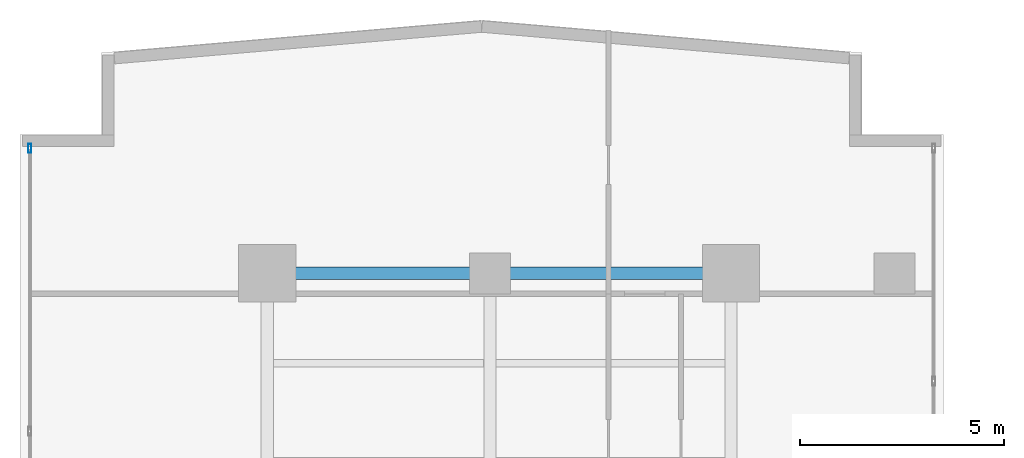
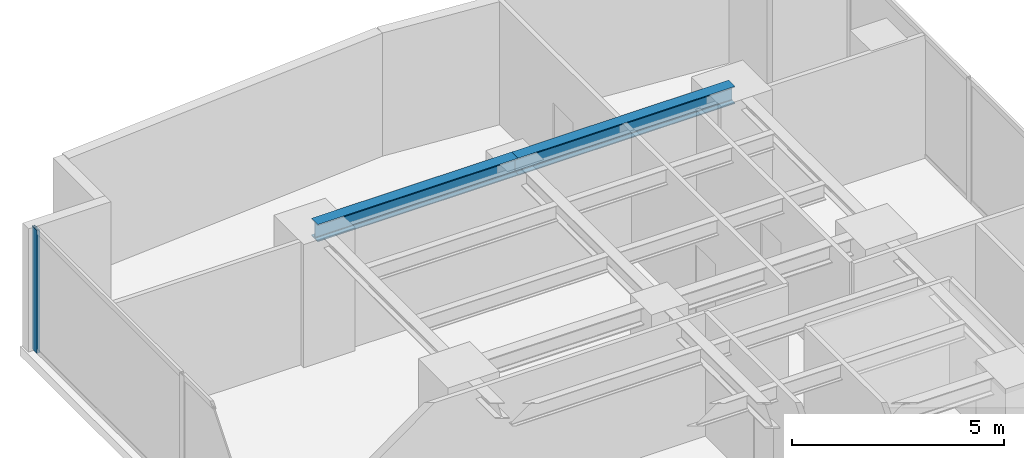
# One storey, part 17 of 27: 2 beams, 1 member, 1 element without a shape of its own.
"""IFC4 building model written with IfcOpenShell, lengths in metres."""

import ifcopenshell
import ifcopenshell.guid

model = None  # the IFC model being written
_history = None  # IfcOwnerHistory: only IFC2X3 demands one
_inside = {}  # id of a spatial element -> (the spatial element, [elements in it])
_under = {}  # id of a project, library or spatial element -> (it, [spatial elements below it])
_declared = {}  # id of a project -> (the project, [libraries it declares])
_typed = {}  # id of a type object -> (the type object, [elements of that type])
_made_of = {}  # id of a material, layer set ... -> (it, [elements and type objects made of it])


def new_model(schema):
    """Start an empty IFC model of exactly this schema.

    Asked for "IFC4X3", IfcOpenShell would pick the latest addendum, in which some entities
    have other attributes; the version numbers below select the first issue.
    IFC2X3 requires an IfcOwnerHistory on every rooted entity: one is made here for all.
    """
    global model, _history
    if schema == "IFC4X3":
        model = ifcopenshell.file(schema_version=(4, 3, 0, 0))
    else:
        model = ifcopenshell.file(schema=schema)
    _inside.clear()
    _under.clear()
    _declared.clear()
    _typed.clear()
    _made_of.clear()
    _history = None
    if model.schema == "IFC2X3":
        org = make("IfcOrganization", Name="unknown")
        user = make(
            "IfcPersonAndOrganization",
            ThePerson=make("IfcPerson", FamilyName="unknown"),
            TheOrganization=org,
        )
        app = make(
            "IfcApplication",
            ApplicationDeveloper=org,
            Version="unknown",
            ApplicationFullName="unknown",
            ApplicationIdentifier="unknown",
        )
        _history = make(
            "IfcOwnerHistory",
            OwningUser=user,
            OwningApplication=app,
            ChangeAction="ADDED",
            CreationDate=0,
        )
    return model


def make(cls, **values):
    """One entity of the class cls with the attributes given. An attribute that is None is left unset."""
    return model.create_entity(
        cls, **{name: value for name, value in values.items() if value is not None}
    )


def rooted(cls, **values):
    """An entity with a GlobalId (a new one), such as an element, a storey or a relation."""
    return make(cls, GlobalId=ifcopenshell.guid.new(), OwnerHistory=_history, **values)


def si_unit(unit_type, name, prefix=None):
    """IfcSIUnit, for example si_unit("LENGTHUNIT", "METRE", prefix="MILLI")."""
    return make("IfcSIUnit", UnitType=unit_type, Prefix=prefix, Name=name)


def assignment(units):
    """IfcUnitAssignment: the units of a project."""
    return None if units is None else make("IfcUnitAssignment", Units=units)


def point(xyz):
    """IfcCartesianPoint."""
    return None if xyz is None else make("IfcCartesianPoint", Coordinates=xyz)


def direction(xyz):
    """IfcDirection."""
    return None if xyz is None else make("IfcDirection", DirectionRatios=xyz)


def frame(location, z_axis=None, x_axis=None):
    """IfcAxis2Placement3D, a coordinate frame: its origin and axes. An axis left out is left unset."""
    return make(
        "IfcAxis2Placement3D",
        Location=point(location),
        Axis=direction(z_axis),
        RefDirection=direction(x_axis),
    )


def frame_2d(location, x_axis=None):
    """IfcAxis2Placement2D, a coordinate frame in the plane: its origin and x axis."""
    return make(
        "IfcAxis2Placement2D", Location=point(location), RefDirection=direction(x_axis)
    )


def origin():
    """The frame at (0, 0, 0) with its axes left unset."""
    return frame((0.0, 0.0, 0.0))


def origin_with_axes():
    """The frame at (0, 0, 0) with the z axis (0, 0, 1) and the x axis (1, 0, 0) written out."""
    return frame((0.0, 0.0, 0.0), z_axis=(0.0, 0.0, 1.0), x_axis=(1.0, 0.0, 0.0))


def origin_2d():
    """The frame at (0, 0) in the plane with its x axis left unset."""
    return frame_2d((0.0, 0.0))


def place(relative_to, where):
    """IfcLocalPlacement: puts the frame where relative to a parent placement (None: the world)."""
    return make(
        "IfcLocalPlacement", PlacementRelTo=relative_to, RelativePlacement=where
    )


def context(
    kind, dimensions, precision=None, world=None, true_north=None, identifier=None
):
    """IfcGeometricRepresentationContext, for example the 3D "Model" context."""
    return make(
        "IfcGeometricRepresentationContext",
        ContextIdentifier=identifier,
        ContextType=kind,
        CoordinateSpaceDimension=dimensions,
        Precision=precision,
        WorldCoordinateSystem=world,
        TrueNorth=true_north,
    )


def subcontext(parent, identifier, kind, view, scale=None):
    """IfcGeometricRepresentationSubContext, for example "Body" below "Model"."""
    return make(
        "IfcGeometricRepresentationSubContext",
        ContextIdentifier=identifier,
        ContextType=kind,
        ParentContext=parent,
        TargetScale=scale,
        TargetView=view,
    )


def project(units=None, contexts=None):
    """IfcProject with its units and contexts."""
    return rooted(
        "IfcProject",
        Name="project",
        RepresentationContexts=contexts,
        UnitsInContext=assignment(units),
    )


def spatial(cls, under=None, at=None, **own):
    """A site, building, storey or space (cls), placed at a placement, below another one or the project."""
    s = rooted(cls, ObjectPlacement=at, **own)
    if under is not None:
        _under.setdefault(under.id(), (under, []))[1].append(s)
    return s


def profile(cls, at=None, kind="AREA", **sizes):
    """A parametric profile (cls). Its sizes go by their IFC names, for example OverallWidth=200.0."""
    return make(cls, ProfileType=kind, Position=at, **sizes)


def hollow_rectangle(**sizes):
    """IfcRectangleHollowProfileDef."""
    return profile("IfcRectangleHollowProfileDef", **sizes)


def i_section(**sizes):
    """IfcIShapeProfileDef."""
    return profile("IfcIShapeProfileDef", **sizes)


def extrude(swept, where, along, depth):
    """IfcExtrudedAreaSolid: the profile swept, set in the frame where, extruded along a direction by depth."""
    return make(
        "IfcExtrudedAreaSolid",
        SweptArea=swept,
        Position=where,
        ExtrudedDirection=direction(along),
        Depth=depth,
    )


def shape(context_of_items, identifier, shape_type, items):
    """IfcShapeRepresentation: the items that make up one representation, for example the "Body"."""
    return make(
        "IfcShapeRepresentation",
        ContextOfItems=context_of_items,
        RepresentationIdentifier=identifier,
        RepresentationType=shape_type,
        Items=items,
    )


def source(mapping_origin, context_of_items, identifier, shape_type, items):
    """IfcRepresentationMap: a shape defined once, which mapped items show again and again."""
    return make(
        "IfcRepresentationMap",
        MappingOrigin=mapping_origin,
        MappedRepresentation=shape(context_of_items, identifier, shape_type, items),
    )


def transform(
    local_origin,
    x_axis=None,
    y_axis=None,
    z_axis=None,
    scale=None,
    scale2=None,
    scale3=None,
    uniform=True,
):
    """IfcCartesianTransformationOperator3D, or its non-uniform kind. x_axis, y_axis, z_axis: its Axis1, 2, 3."""
    if uniform:
        return make(
            "IfcCartesianTransformationOperator3D",
            Axis1=direction(x_axis),
            Axis2=direction(y_axis),
            LocalOrigin=point(local_origin),
            Scale=scale,
            Axis3=direction(z_axis),
        )
    return make(
        "IfcCartesianTransformationOperator3DnonUniform",
        Axis1=direction(x_axis),
        Axis2=direction(y_axis),
        LocalOrigin=point(local_origin),
        Scale=scale,
        Axis3=direction(z_axis),
        Scale2=scale2,
        Scale3=scale3,
    )


def mapped(mapping_source, mapping_target):
    """IfcMappedItem: shows the shape of a source again, moved by a transform."""
    return make(
        "IfcMappedItem", MappingSource=mapping_source, MappingTarget=mapping_target
    )


def material(Name=None, Category=None):
    """IfcMaterial."""
    return make("IfcMaterial", Name=Name, Category=Category)


def layer(
    of_material, thickness, ventilated=None, Name=None, Category=None, Priority=None
):
    """IfcMaterialLayer: one layer of a wall or slab, of a material (None: an air gap)."""
    return make(
        "IfcMaterialLayer",
        Material=of_material,
        LayerThickness=thickness,
        IsVentilated=ventilated,
        Name=Name,
        Category=Category,
        Priority=Priority,
    )


def layer_set(layers, Name=None):
    """IfcMaterialLayerSet."""
    return make("IfcMaterialLayerSet", MaterialLayers=layers, LayerSetName=Name)


def material_profile(
    of_material, cross_section, Name=None, Category=None, Priority=None
):
    """IfcMaterialProfile: a cross section and its material."""
    return make(
        "IfcMaterialProfile",
        Name=Name,
        Material=of_material,
        Profile=cross_section,
        Priority=Priority,
        Category=Category,
    )


def profile_set(profiles, Name=None, composite=None):
    """IfcMaterialProfileSet."""
    return make(
        "IfcMaterialProfileSet",
        Name=Name,
        MaterialProfiles=profiles,
        CompositeProfile=composite,
    )


def made_of(thing, what):
    """Note that an element or type object is made of a material, layer set ...; save() writes the relation."""
    if what is not None:
        _made_of.setdefault(what.id(), (what, []))[1].append(thing)
    return thing


def type_object(cls, material=None, **own):
    """A type object (cls), such as IfcWallType, which elements share."""
    return made_of(rooted(cls, **own), material)


def element(
    cls,
    number,
    at=None,
    inside=None,
    cuts=None,
    type_object=None,
    material=None,
    context=None,
    identifier="Body",
    shape_type=None,
    held_by="IfcProductDefinitionShape",
    body=None,
    shapes=None,
    **own,
):
    """One element of the class cls, such as IfcWall. Its Tag is "e" and its number.

    at: its placement. inside: the storey or other place that contains it. cuts: it is an
    opening in that element (IfcRelVoidsElement). A single representation is given by context,
    identifier, shape_type and body (its items); several are given by shapes. held_by: the class
    of the entity that holds the representations. save() writes the other relations.
    """
    e = rooted(cls, Tag="e%d" % number, ObjectPlacement=at, **own)
    if body is not None:
        shapes = [shape(context, identifier, shape_type, body)]
    if shapes is not None:
        e.Representation = make(held_by, Representations=shapes)
    if inside is not None:
        _inside.setdefault(inside.id(), (inside, []))[1].append(e)
    if cuts is not None:
        rooted(
            "IfcRelVoidsElement", RelatingBuildingElement=cuts, RelatedOpeningElement=e
        )
    if type_object is not None:
        _typed.setdefault(type_object.id(), (type_object, []))[1].append(e)
    return made_of(e, material)


def aggregate(whole, parts):
    """IfcRelAggregates: a whole, such as a stair, and the parts it consists of."""
    return rooted("IfcRelAggregates", RelatingObject=whole, RelatedObjects=parts)


def save(model, path):
    """Write the relations noted so far, then the file.

    IfcRelAggregates (storeys below a building ...), IfcRelContainedInSpatialStructure (elements
    in a storey), IfcRelDefinesByType, IfcRelAssociatesMaterial and IfcRelDeclares: one each for
    every whole, place, type object, material and project.
    """
    for whole, parts in _under.values():
        aggregate(whole, parts)
    for where, things in _inside.values():
        rooted(
            "IfcRelContainedInSpatialStructure",
            RelatedElements=things,
            RelatingStructure=where,
        )
    for kind, things in _typed.values():
        rooted("IfcRelDefinesByType", RelatedObjects=things, RelatingType=kind)
    for what, things in _made_of.values():
        rooted("IfcRelAssociatesMaterial", RelatedObjects=things, RelatingMaterial=what)
    for by, libraries in _declared.values():
        rooted("IfcRelDeclares", RelatingContext=by, RelatedDefinitions=libraries)
    model.write(path)


model = new_model("IFC4")

# Units and contexts
model_context = context("Model", 3, precision=1e-05, world=origin(), true_north=direction((0.0, 1.0)))
body_context = subcontext(model_context, "Body", "Model", "MODEL_VIEW")
ifc_project = project(units=[si_unit("LENGTHUNIT", "METRE"), si_unit("AREAUNIT", "SQUARE_METRE"), si_unit("VOLUMEUNIT", "CUBIC_METRE"), si_unit("PLANEANGLEUNIT", "RADIAN"), si_unit("MASSUNIT", "GRAM", prefix="KILO")], contexts=[model_context])

# Site, building, storey
site_placement = place(None, origin())
site = spatial("IfcSite", under=ifc_project, at=site_placement, CompositionType="ELEMENT")
building_placement = place(site_placement, origin())
building = spatial("IfcBuilding", under=site, at=building_placement, Name="Kolvaren Waterfront Exchange", CompositionType="ELEMENT")
storey_placement = place(building_placement, frame((0.0, 0.0, 118.300048828125)))
storey = spatial("IfcBuildingStorey", under=building, at=storey_placement, Name="L30", CompositionType="ELEMENT", Elevation=118.300048828125)

# Beams
ifc_material_1 = material(Name="Steel S355", Category="steel")
ifc_material_profile_1 = material_profile(ifc_material_1, i_section(OverallWidth=0.300048828125, OverallDepth=0.5, WebThickness=0.014404296875, FlangeThickness=0.028076171875, FilletRadius=0.027099609375, at=origin_2d()), Name="HEB500")
ifc_profile_set_1 = profile_set([ifc_material_profile_1], Name="Steel S355")
beam_type = type_object("IfcBeamType", Name="STR-BM-HEB500", PredefinedType="BEAM", material=ifc_profile_set_1)
beam_1_placement = place(storey_placement, frame((7.449951171875, 44.60009765625, 3.2900390625), z_axis=(1.0, 0.0, 0.0), x_axis=(0.0, 1.0, 0.0)))
element("IfcBeam", 1, at=beam_1_placement, inside=storey, type_object=beam_type, Name="L30 north-arm girder 4A", PredefinedType="BEAM", context=body_context, shape_type="SweptSolid", body=[
    extrude(i_section(OverallWidth=0.300048828125, OverallDepth=0.5, WebThickness=0.014404296875, FlangeThickness=0.028076171875, FilletRadius=0.027099609375, at=origin_2d()), origin(), (0.0, 0.0, 1.0), 5.449951171875),
])
beam_2_placement = place(storey_placement, frame((12.89990234375, 44.60009765625, 3.2900390625), z_axis=(1.0, 0.0, 0.0), x_axis=(0.0, 1.0, 0.0)))
element("IfcBeam", 2, at=beam_2_placement, inside=storey, type_object=beam_type, Name="L30 north-arm girder 4B", PredefinedType="BEAM", context=body_context, shape_type="SweptSolid", body=[
    extrude(i_section(OverallWidth=0.300048828125, OverallDepth=0.5, WebThickness=0.014404296875, FlangeThickness=0.028076171875, FilletRadius=0.027099609375, at=origin_2d()), origin(), (0.0, 0.0, 1.0), 5.900146484375),
])

# Curtain wall, member
ifc_material_2 = material(Name="Anodised aluminium 6063-T6", Category="aluminium")
ifc_layer = layer(ifc_material_2, 0.219970703125, Name="Anodised aluminium 6063-T6")
ifc_layer_set = layer_set([ifc_layer], Name="Anodised aluminium 6063-T6")
curtain_wall_type = type_object("IfcCurtainWallType", Name="ARC-CW-SYS2", PredefinedType="USERDEFINED", material=ifc_layer_set)
curtain_wall_placement = place(storey_placement, origin())
curtain_wall = element("IfcCurtainWall", 3, at=curtain_wall_placement, inside=storey, type_object=curtain_wall_type, Name="L30 stick curtain wall CW2 (CW-L30-W)", ObjectType="STICK CURTAIN WALL", PredefinedType="USERDEFINED")
ifc_material_profile_2 = material_profile(ifc_material_2, hollow_rectangle(XDim=0.080078125, YDim=0.219970703125, WallThickness=0.0048828125, at=origin_2d()), Name="ALU-MUL-220x80x5")
ifc_profile_set_2 = profile_set([ifc_material_profile_2], Name="Anodised aluminium 6063-T6")
member_type = type_object("IfcMemberType", Name="ARC-CWM-220", PredefinedType="MULLION", material=ifc_profile_set_2)
shared_shape = source(origin_with_axes(), body_context, "Body", "SweptSolid", [
    extrude(hollow_rectangle(XDim=0.080078125, YDim=0.219970703125, WallThickness=0.0048828125, at=origin_2d()), origin(), (0.0, 0.0, 1.0), 3.5400390625),
])
member_placement = place(storey_placement, frame((1.639892578125, 47.659912109375, 0.0), z_axis=(0.0, 0.0, 1.0), x_axis=(-1.0, 0.0, 0.0)))
member = element("IfcMember", 4, at=member_placement, type_object=member_type, Name="CW2 mullion 7", PredefinedType="MULLION", context=body_context, shape_type="MappedRepresentation", body=[
    mapped(shared_shape, transform((0.0, 0.0, 0.0), x_axis=(1.0, 0.0, 0.0), y_axis=(0.0, 1.0, 0.0), z_axis=(0.0, 0.0, 1.0), scale=1.0)),
])
aggregate(curtain_wall, [member])

save(model, "model.ifc")
